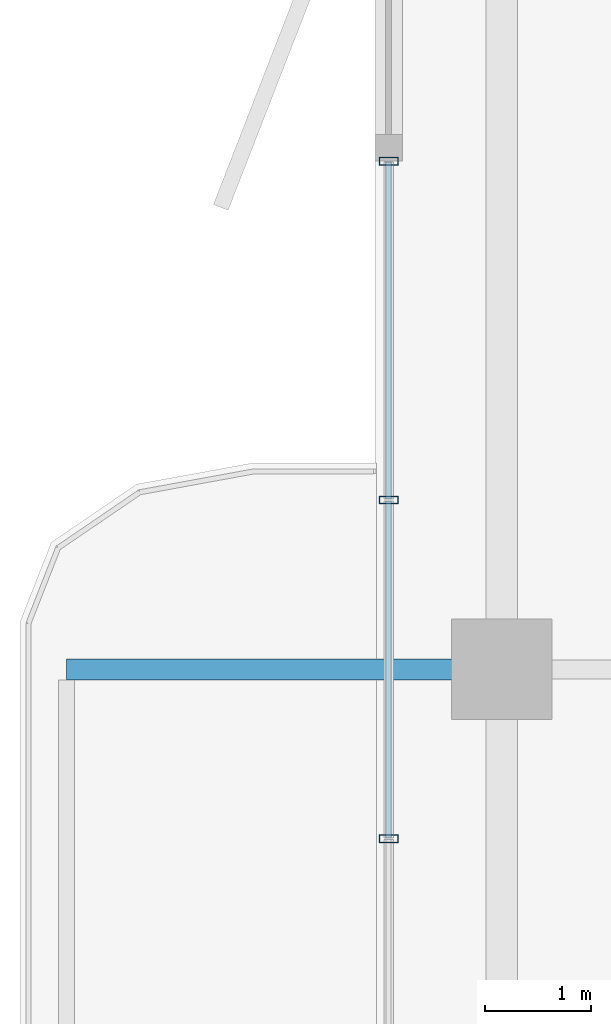
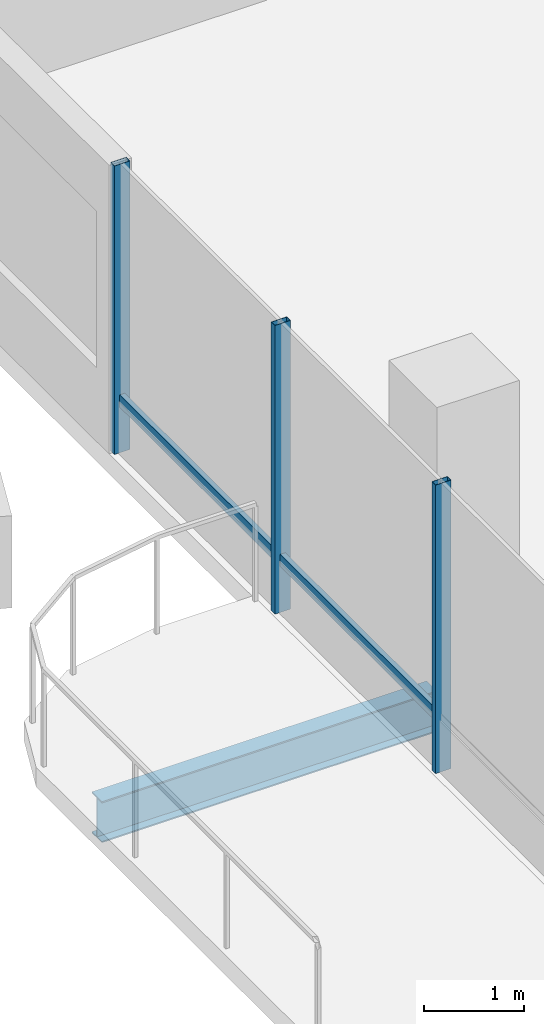
# One storey, part 6 of 18: 5 members, 1 beam, 1 element without a shape of its own.
"""IFC4 building model written with IfcOpenShell, lengths in metres."""

from ifc_helpers import new_model, si_unit, direction, frame, origin, origin_2d, place, context, subcontext, project, spatial, hollow_rectangle, i_section, extrude, material, layer, layer_set, material_profile, profile_set, type_object, element, aggregate, save


model = new_model("IFC4")

# Units and contexts
model_context = context("Model", 3, precision=1e-05, world=origin(), true_north=direction((0.0, 1.0)))
body_context = subcontext(model_context, "Body", "Model", "MODEL_VIEW")
ifc_project = project(units=[si_unit("LENGTHUNIT", "METRE"), si_unit("AREAUNIT", "SQUARE_METRE"), si_unit("VOLUMEUNIT", "CUBIC_METRE"), si_unit("PLANEANGLEUNIT", "RADIAN"), si_unit("MASSUNIT", "GRAM", prefix="KILO")], contexts=[model_context])

# Site, building, storey
site_placement = place(None, origin())
site = spatial("IfcSite", under=ifc_project, at=site_placement, CompositionType="ELEMENT")
building_placement = place(site_placement, origin())
building = spatial("IfcBuilding", under=site, at=building_placement, Name="Belovzor Exchange Tower", CompositionType="ELEMENT")
storey_placement = place(building_placement, frame((0.0, 0.0, 310.5)))
storey = spatial("IfcBuildingStorey", under=building, at=storey_placement, Name="L77", CompositionType="ELEMENT", Elevation=310.5)

# Beam
ifc_material_1 = material(Name="Steel S355", Category="steel")
ifc_material_profile_1 = material_profile(ifc_material_1, i_section(OverallWidth=0.199951171875, OverallDepth=0.5, WebThickness=0.01025390625, FlangeThickness=0.01611328125, at=origin_2d()))
ifc_profile_set_1 = profile_set([ifc_material_profile_1], Name="Steel S355")
beam_type = type_object("IfcBeamType", Name="Planted Balcony Cantilever Beam IPE 500", PredefinedType="BEAM", material=ifc_profile_set_1)
beam_placement = place(storey_placement, frame((6.93896484375, 28.800048828125, -0.489990234375), z_axis=(-1.0, 0.0, 0.0), x_axis=(0.0, -1.0, 0.0)))
element("IfcBeam", 1, at=beam_placement, inside=storey, type_object=beam_type, Name="BC-500 Planted Balcony Cantilever Beam IPE 500", PredefinedType="BEAM", context=body_context, shape_type="SweptSolid", body=[
    extrude(i_section(OverallWidth=0.199951171875, OverallDepth=0.5, WebThickness=0.01025390625, FlangeThickness=0.01611328125, at=origin_2d()), origin(), (0.0, 0.0, 1.0), 3.849853515625),
])

# Curtain wall, members
ifc_material_2 = material(Name="Anodised Aluminium Framing", Category="aluminium")
ifc_layer = layer(ifc_material_2, 0.179931640625)
ifc_layer_set = layer_set([ifc_layer], Name="Anodised Aluminium Framing")
curtain_wall_type = type_object("IfcCurtainWallType", Name="Recessed Loggia Low-Iron Triple-Glazed Curtain Wall", PredefinedType="NOTDEFINED", material=ifc_layer_set)
curtain_wall_placement = place(storey_placement, origin())
curtain_wall = element("IfcCurtainWall", 2, at=curtain_wall_placement, inside=storey, type_object=curtain_wall_type, Name="CW3 Recessed Loggia Low-Iron Triple-Glazed Curtain Wall L77", PredefinedType="NOTDEFINED")
ifc_material_3 = material(Name="Steel S355", Category="steel")
ifc_material_profile_2 = material_profile(ifc_material_3, hollow_rectangle(XDim=0.074951171875, YDim=0.179931640625, WallThickness=0.0048828125, at=origin_2d()))
ifc_profile_set_2 = profile_set([ifc_material_profile_2], Name="Steel S355")
member_type_1 = type_object("IfcMemberType", Name="Thermally Broken Curtain Wall Mullion 180x75", PredefinedType="MULLION", material=ifc_profile_set_2)
member_1_placement = place(storey_placement, frame((6.1298828125, 27.199951171875, 0.0), z_axis=(0.0, 0.0, 1.0), x_axis=(0.0, 1.0, 0.0)))
member_1 = element("IfcMember", 3, at=member_1_placement, type_object=member_type_1, Name="CW-M180 Curtain Wall Mullion 2", PredefinedType="MULLION", context=body_context, shape_type="SweptSolid", body=[
    extrude(hollow_rectangle(XDim=0.074951171875, YDim=0.179931640625, WallThickness=0.0048828125, at=origin_2d()), origin(), (0.0, 0.0, 1.0), 3.510009765625),
])
member_2_placement = place(storey_placement, frame((6.1298828125, 30.39990234375, 0.0), z_axis=(0.0, 0.0, 1.0), x_axis=(0.0, 1.0, 0.0)))
member_2 = element("IfcMember", 4, at=member_2_placement, type_object=member_type_1, Name="CW-M180 Curtain Wall Mullion 3", PredefinedType="MULLION", context=body_context, shape_type="SweptSolid", body=[
    extrude(hollow_rectangle(XDim=0.074951171875, YDim=0.179931640625, WallThickness=0.0048828125, at=origin_2d()), origin(), (0.0, 0.0, 1.0), 3.510009765625),
])
member_3_placement = place(storey_placement, frame((6.1298828125, 33.60009765625, 0.0), z_axis=(0.0, 0.0, 1.0), x_axis=(0.0, 1.0, 0.0)))
member_3 = element("IfcMember", 5, at=member_3_placement, type_object=member_type_1, Name="CW-M180 Curtain Wall Mullion 4", PredefinedType="MULLION", context=body_context, shape_type="SweptSolid", body=[
    extrude(hollow_rectangle(XDim=0.074951171875, YDim=0.179931640625, WallThickness=0.0048828125, at=origin_2d()), origin(), (0.0, 0.0, 1.0), 3.510009765625),
])
ifc_material_4 = material(Name="Steel S355", Category="steel")
ifc_material_profile_3 = material_profile(ifc_material_4, hollow_rectangle(XDim=0.06005859375, YDim=0.14990234375, WallThickness=0.00390625, at=origin_2d()))
ifc_profile_set_3 = profile_set([ifc_material_profile_3], Name="Steel S355")
member_type_2 = type_object("IfcMemberType", Name="Thermally Broken Curtain Wall Transom 150x60", PredefinedType="USERDEFINED", material=ifc_profile_set_3)
member_4_placement = place(storey_placement, frame((6.1298828125, 27.2080078125, 0.632080078125), z_axis=(0.0, 1.0, 0.0), x_axis=(-1.0, 0.0, 0.0)))
member_4 = element("IfcMember", 6, at=member_4_placement, type_object=member_type_2, Name="CW-T150 Curtain Wall Transom 2", ObjectType="TRANSOM", PredefinedType="USERDEFINED", context=body_context, shape_type="SweptSolid", body=[
    extrude(hollow_rectangle(XDim=0.06005859375, YDim=0.14990234375, WallThickness=0.00390625, at=origin_2d()), origin(), (0.0, 0.0, 1.0), 3.18408203125),
])
member_5_placement = place(storey_placement, frame((6.1298828125, 30.407958984375, 0.632080078125), z_axis=(0.0, 1.0, 0.0), x_axis=(-1.0, 0.0, 0.0)))
member_5 = element("IfcMember", 7, at=member_5_placement, type_object=member_type_2, Name="CW-T150 Curtain Wall Transom 3", ObjectType="TRANSOM", PredefinedType="USERDEFINED", context=body_context, shape_type="SweptSolid", body=[
    extrude(hollow_rectangle(XDim=0.06005859375, YDim=0.14990234375, WallThickness=0.00390625, at=origin_2d()), origin(), (0.0, 0.0, 1.0), 3.18408203125),
])
aggregate(curtain_wall, [member_1, member_2, member_3, member_4, member_5])

save(model, "model.ifc")
